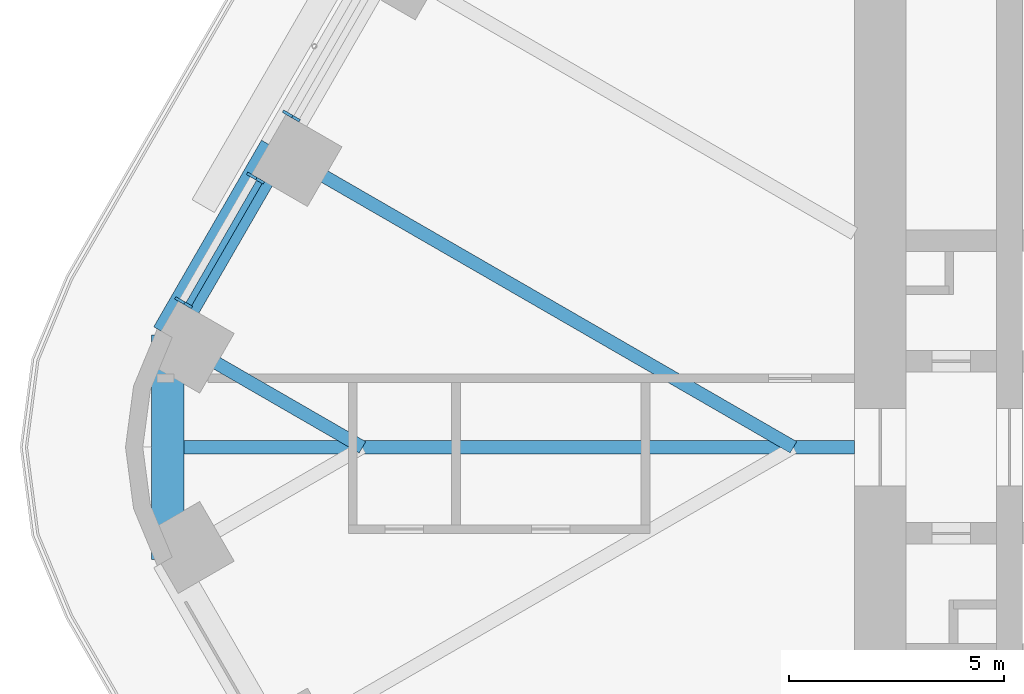
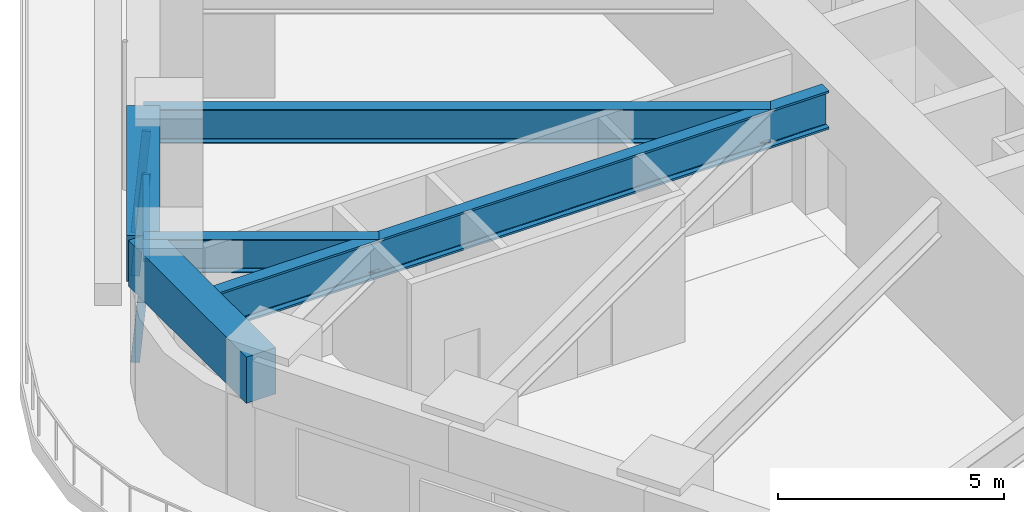
# One storey, part 6 of 24: 5 beams, 4 members, 2 elements without a shape of their own.
"""IFC4 building model written with IfcOpenShell, lengths in metres."""

from ifc_helpers import new_model, si_unit, direction, frame, origin, origin_2d, place, context, subcontext, project, spatial, rectangle, i_section, extrude, material, material_profile, profile_set, type_object, element, aggregate, save


model = new_model("IFC4")

# Units and contexts
model_context = context("Model", 3, precision=1e-05, world=origin(), true_north=direction((0.0, 1.0)))
body_context = subcontext(model_context, "Body", "Model", "MODEL_VIEW")
ifc_project = project(units=[si_unit("LENGTHUNIT", "METRE"), si_unit("AREAUNIT", "SQUARE_METRE"), si_unit("VOLUMEUNIT", "CUBIC_METRE"), si_unit("PLANEANGLEUNIT", "RADIAN"), si_unit("MASSUNIT", "GRAM", prefix="KILO")], contexts=[model_context])

# Site, building, storey
site_placement = place(None, origin())
site = spatial("IfcSite", under=ifc_project, at=site_placement, CompositionType="ELEMENT")
building_placement = place(site_placement, origin())
building = spatial("IfcBuilding", under=site, at=building_placement, Name="Tarfa Lantern Tower", CompositionType="ELEMENT")
storey_placement = place(building_placement, frame((0.0, 0.0, 153.10009765625)))
storey = spatial("IfcBuildingStorey", under=building, at=storey_placement, Name="L34", CompositionType="ELEMENT", Elevation=153.10009765625)

# Curtain wall, member
ifc_material_1 = material(Name="Aluminium framed curtain wall", Category="aluminium")
curtain_wall_type = type_object("IfcCurtainWallType", Name="CW2 CANTED GLAZING MID ZONE 2750", PredefinedType="USERDEFINED", material=ifc_material_1)
curtain_wall_1_placement = place(storey_placement, origin())
curtain_wall_1 = element("IfcCurtainWall", 1, at=curtain_wall_1_placement, inside=storey, type_object=curtain_wall_type, Name="CW2 NWB L34", ObjectType="CURTAIN WALL", PredefinedType="USERDEFINED")
ifc_material_2 = material(Name="Aluminium mullion", Category="aluminium")
ifc_material_profile_1 = material_profile(ifc_material_2, rectangle(XDim=0.06494140625, YDim=0.199951171875, at=origin_2d()), Name="AL MULLION 65x200")
ifc_profile_set_1 = profile_set([ifc_material_profile_1], Name="Aluminium mullion")
member_type_1 = type_object("IfcMemberType", Name="CWM1 MULLION 65x200", PredefinedType="MULLION", material=ifc_profile_set_1)
member_1_placement = place(storey_placement, frame((-31.78076171875, 7.75439453125, 0.0), z_axis=(0.078422950161, -0.045267813396, 0.995891894715), x_axis=(0.499919672301, 0.866071776036, 0.0)))
member_1 = element("IfcMember", 2, at=member_1_placement, type_object=member_type_1, Name="CW2 mullion 2", PredefinedType="MULLION", context=body_context, shape_type="SweptSolid", body=[
    extrude(rectangle(XDim=0.06494140625, YDim=0.199951171875, at=origin_2d()), origin(), (0.0, 0.0, 1.0), 2.76123046875),
])
aggregate(curtain_wall_1, [member_1])

# Curtain wall, members
curtain_wall_2_placement = place(storey_placement, origin())
curtain_wall_2 = element("IfcCurtainWall", 3, at=curtain_wall_2_placement, inside=storey, type_object=curtain_wall_type, Name="CW2 NWB L34", ObjectType="CURTAIN WALL", PredefinedType="USERDEFINED")
member_2_placement = place(storey_placement, frame((-32.613037109375, 6.312255859375, 0.0), z_axis=(0.078335079308, -0.045268127094, 0.995898796073), x_axis=(0.500342721131, 0.865827443207, 0.0)))
member_2 = element("IfcMember", 4, at=member_2_placement, type_object=member_type_1, Name="CW2 mullion 1", PredefinedType="MULLION", context=body_context, shape_type="SweptSolid", body=[
    extrude(rectangle(XDim=0.06494140625, YDim=0.199951171875, at=origin_2d()), origin(), (0.0, 0.0, 1.0), 2.76123046875),
])
member_3_placement = place(storey_placement, frame((-34.282470703125, 3.4208984375, 0.0), z_axis=(0.078422950161, -0.045267813396, 0.995891894715), x_axis=(0.499919672301, 0.866071776036, 0.0)))
member_3 = element("IfcMember", 5, at=member_3_placement, type_object=member_type_1, Name="CW2 mullion 2", PredefinedType="MULLION", context=body_context, shape_type="SweptSolid", body=[
    extrude(rectangle(XDim=0.06494140625, YDim=0.199951171875, at=origin_2d()), origin(), (0.0, 0.0, 1.0), 2.76123046875),
])
ifc_material_3 = material(Name="Aluminium transom", Category="aluminium")
ifc_material_profile_2 = material_profile(ifc_material_3, rectangle(XDim=0.14990234375, YDim=0.06494140625, at=origin_2d()), Name="AL TRANSOM 150x65")
ifc_profile_set_2 = profile_set([ifc_material_profile_2], Name="Aluminium transom")
member_type_2 = type_object("IfcMemberType", Name="CWT1 TRANSOM 150x65", PredefinedType="USERDEFINED", material=ifc_profile_set_2)
member_4_placement = place(storey_placement, frame((-32.41552734375, 6.16064453125, 2.71728515625), z_axis=(-0.499989298045, -0.866031582473, 0.0), x_axis=(0.866031582473, -0.499989298045, 0.0)))
member_4 = element("IfcMember", 6, at=member_4_placement, type_object=member_type_2, Name="CW2 transom 1.2", ObjectType="TRANSOM", PredefinedType="USERDEFINED", context=body_context, shape_type="SweptSolid", body=[
    extrude(rectangle(XDim=0.14990234375, YDim=0.06494140625, at=origin_2d()), origin(), (0.0, 0.0, 1.0), 3.2734375),
])
aggregate(curtain_wall_2, [member_2, member_3, member_4])

# Beams
ifc_material_4 = material(Name="Concrete C80/95", Category="concrete")
ifc_material_profile_3 = material_profile(ifc_material_4, rectangle(XDim=0.75, YDim=1.25, at=origin_2d()), Name="RC 750x1250")
ifc_profile_set_3 = profile_set([ifc_material_profile_3], Name="Concrete C80/95")
beam_type_1 = type_object("IfcBeamType", Name="EB2 RC 750x1250", PredefinedType="SPANDREL", material=ifc_profile_set_3)
beam_1_placement = place(storey_placement, frame((-32.041015625, 6.943359375, 3.375), z_axis=(-0.500022324899, -0.866012514114, 0.0), x_axis=(0.866012514114, -0.500022324899, 0.0)))
element("IfcBeam", 7, at=beam_1_placement, inside=storey, type_object=beam_type_1, Name="Edge beam NW5", PredefinedType="SPANDREL", context=body_context, shape_type="SweptSolid", body=[
    extrude(rectangle(XDim=0.75, YDim=1.25, at=origin_2d()), origin(), (0.0, 0.0, 1.0), 5.003662109375),
])
beam_2_placement = place(storey_placement, frame((-34.54296875, 2.610107421875, 3.375), z_axis=(0.0, -1.0, 0.0), x_axis=(1.0, 0.0, 0.0)))
element("IfcBeam", 8, at=beam_2_placement, inside=storey, type_object=beam_type_1, Name="Edge beam NW6", PredefinedType="SPANDREL", context=body_context, shape_type="SweptSolid", body=[
    extrude(rectangle(XDim=0.75, YDim=1.25, at=origin_2d()), origin(), (0.0, 0.0, 1.0), 5.22021484375),
])
ifc_material_5 = material(Name="Steel S460M", Category="steel")
ifc_material_profile_4 = material_profile(ifc_material_5, i_section(OverallWidth=0.30859375, OverallDepth=1.036376953125, WebThickness=0.030029296875, FlangeThickness=0.05419921875, FilletRadius=0.030029296875, at=origin_2d()), Name="UB1016x305x487")
ifc_profile_set_4 = profile_set([ifc_material_profile_4], Name="Steel S460M")
beam_type_2 = type_object("IfcBeamType", Name="UB1016x305x487", PredefinedType="BEAM", material=ifc_profile_set_4)
beam_3_placement = place(storey_placement, frame((-18.60009765625, 0.0, 3.481689453125), z_axis=(-1.0, 0.0, 0.0), x_axis=(0.0, -1.0, 0.0)))
element("IfcBeam", 9, at=beam_3_placement, inside=storey, type_object=beam_type_2, Name="Hip girder W", PredefinedType="BEAM", context=body_context, shape_type="SweptSolid", body=[
    extrude(i_section(OverallWidth=0.30859375, OverallDepth=1.036376953125, WebThickness=0.030029296875, FlangeThickness=0.05419921875, FilletRadius=0.030029296875, at=origin_2d()), origin(), (0.0, 0.0, 1.0), 15.94287109375),
])
ifc_material_profile_5 = material_profile(ifc_material_5, i_section(OverallWidth=0.305419921875, OverallDepth=0.91845703125, WebThickness=0.017333984375, FlangeThickness=0.02783203125, FilletRadius=0.01904296875, at=origin_2d()), Name="UB914x305x253")
ifc_profile_set_5 = profile_set([ifc_material_profile_5], Name="Steel S460M")
beam_type_3 = type_object("IfcBeamType", Name="UB914x305x253", PredefinedType="BEAM", material=ifc_profile_set_5)
beam_4_placement = place(storey_placement, frame((-32.041015625, 6.943359375, 3.540771484375), z_axis=(0.866023096411, -0.500003996466, 0.0), x_axis=(0.500003996466, 0.866023096411, 0.0)))
element("IfcBeam", 10, at=beam_4_placement, inside=storey, type_object=beam_type_3, Name="Floor beam NW5", PredefinedType="BEAM", context=body_context, shape_type="SweptSolid", body=[
    extrude(i_section(OverallWidth=0.305419921875, OverallDepth=0.91845703125, WebThickness=0.017333984375, FlangeThickness=0.02783203125, FilletRadius=0.01904296875, at=origin_2d()), origin(), (0.0, 0.0, 1.0), 13.88671875),
])
beam_5_placement = place(storey_placement, frame((-34.54296875, 2.610107421875, 3.540771484375), z_axis=(0.866021250859, -0.500007193008, 0.0), x_axis=(0.500007193008, 0.866021250859, 0.0)))
element("IfcBeam", 11, at=beam_5_placement, inside=storey, type_object=beam_type_3, Name="Floor beam NW6", PredefinedType="BEAM", context=body_context, shape_type="SweptSolid", body=[
    extrude(i_section(OverallWidth=0.305419921875, OverallDepth=0.91845703125, WebThickness=0.017333984375, FlangeThickness=0.02783203125, FilletRadius=0.01904296875, at=origin_2d()), origin(), (0.0, 0.0, 1.0), 5.22021484375),
])

save(model, "model.ifc")
